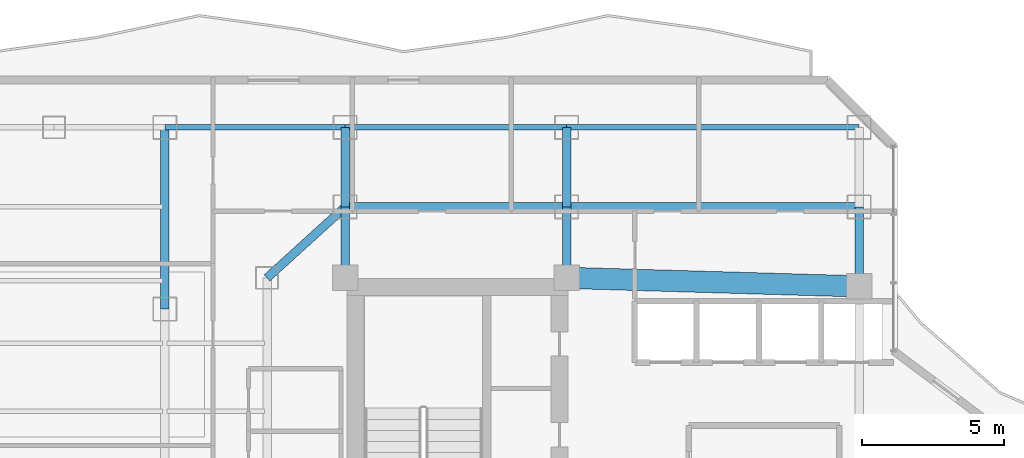
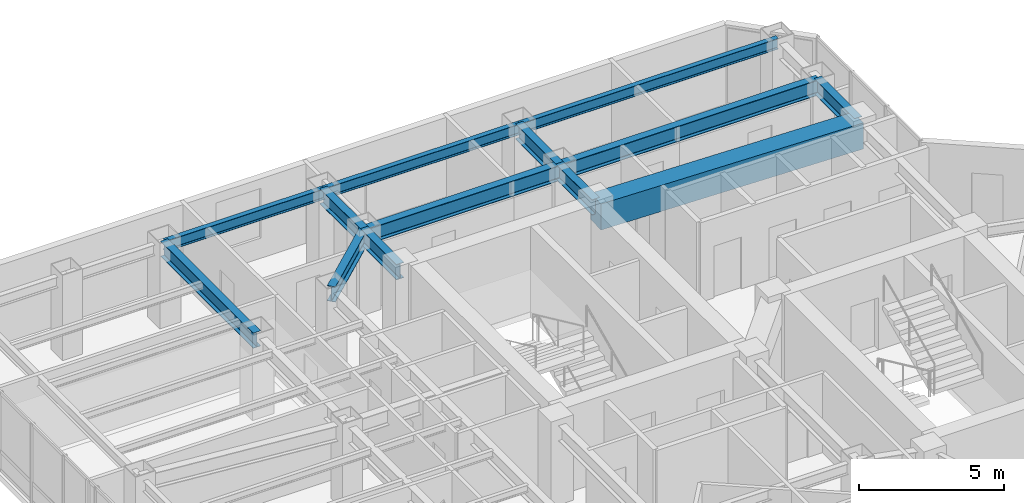
# One storey, part 18 of 27: 13 beams.
"""IFC4 building model written with IfcOpenShell, lengths in metres."""

import ifcopenshell
import ifcopenshell.guid

model = None  # the IFC model being written
_history = None  # IfcOwnerHistory: only IFC2X3 demands one
_inside = {}  # id of a spatial element -> (the spatial element, [elements in it])
_under = {}  # id of a project, library or spatial element -> (it, [spatial elements below it])
_declared = {}  # id of a project -> (the project, [libraries it declares])
_typed = {}  # id of a type object -> (the type object, [elements of that type])
_made_of = {}  # id of a material, layer set ... -> (it, [elements and type objects made of it])


def new_model(schema):
    """Start an empty IFC model of exactly this schema.

    Asked for "IFC4X3", IfcOpenShell would pick the latest addendum, in which some entities
    have other attributes; the version numbers below select the first issue.
    IFC2X3 requires an IfcOwnerHistory on every rooted entity: one is made here for all.
    """
    global model, _history
    if schema == "IFC4X3":
        model = ifcopenshell.file(schema_version=(4, 3, 0, 0))
    else:
        model = ifcopenshell.file(schema=schema)
    _inside.clear()
    _under.clear()
    _declared.clear()
    _typed.clear()
    _made_of.clear()
    _history = None
    if model.schema == "IFC2X3":
        org = make("IfcOrganization", Name="unknown")
        user = make(
            "IfcPersonAndOrganization",
            ThePerson=make("IfcPerson", FamilyName="unknown"),
            TheOrganization=org,
        )
        app = make(
            "IfcApplication",
            ApplicationDeveloper=org,
            Version="unknown",
            ApplicationFullName="unknown",
            ApplicationIdentifier="unknown",
        )
        _history = make(
            "IfcOwnerHistory",
            OwningUser=user,
            OwningApplication=app,
            ChangeAction="ADDED",
            CreationDate=0,
        )
    return model


def make(cls, **values):
    """One entity of the class cls with the attributes given. An attribute that is None is left unset."""
    return model.create_entity(
        cls, **{name: value for name, value in values.items() if value is not None}
    )


def rooted(cls, **values):
    """An entity with a GlobalId (a new one), such as an element, a storey or a relation."""
    return make(cls, GlobalId=ifcopenshell.guid.new(), OwnerHistory=_history, **values)


def si_unit(unit_type, name, prefix=None):
    """IfcSIUnit, for example si_unit("LENGTHUNIT", "METRE", prefix="MILLI")."""
    return make("IfcSIUnit", UnitType=unit_type, Prefix=prefix, Name=name)


def assignment(units):
    """IfcUnitAssignment: the units of a project."""
    return None if units is None else make("IfcUnitAssignment", Units=units)


def point(xyz):
    """IfcCartesianPoint."""
    return None if xyz is None else make("IfcCartesianPoint", Coordinates=xyz)


def direction(xyz):
    """IfcDirection."""
    return None if xyz is None else make("IfcDirection", DirectionRatios=xyz)


def frame(location, z_axis=None, x_axis=None):
    """IfcAxis2Placement3D, a coordinate frame: its origin and axes. An axis left out is left unset."""
    return make(
        "IfcAxis2Placement3D",
        Location=point(location),
        Axis=direction(z_axis),
        RefDirection=direction(x_axis),
    )


def frame_2d(location, x_axis=None):
    """IfcAxis2Placement2D, a coordinate frame in the plane: its origin and x axis."""
    return make(
        "IfcAxis2Placement2D", Location=point(location), RefDirection=direction(x_axis)
    )


def origin():
    """The frame at (0, 0, 0) with its axes left unset."""
    return frame((0.0, 0.0, 0.0))


def origin_2d():
    """The frame at (0, 0) in the plane with its x axis left unset."""
    return frame_2d((0.0, 0.0))


def place(relative_to, where):
    """IfcLocalPlacement: puts the frame where relative to a parent placement (None: the world)."""
    return make(
        "IfcLocalPlacement", PlacementRelTo=relative_to, RelativePlacement=where
    )


def context(
    kind, dimensions, precision=None, world=None, true_north=None, identifier=None
):
    """IfcGeometricRepresentationContext, for example the 3D "Model" context."""
    return make(
        "IfcGeometricRepresentationContext",
        ContextIdentifier=identifier,
        ContextType=kind,
        CoordinateSpaceDimension=dimensions,
        Precision=precision,
        WorldCoordinateSystem=world,
        TrueNorth=true_north,
    )


def subcontext(parent, identifier, kind, view, scale=None):
    """IfcGeometricRepresentationSubContext, for example "Body" below "Model"."""
    return make(
        "IfcGeometricRepresentationSubContext",
        ContextIdentifier=identifier,
        ContextType=kind,
        ParentContext=parent,
        TargetScale=scale,
        TargetView=view,
    )


def project(units=None, contexts=None):
    """IfcProject with its units and contexts."""
    return rooted(
        "IfcProject",
        Name="project",
        RepresentationContexts=contexts,
        UnitsInContext=assignment(units),
    )


def spatial(cls, under=None, at=None, **own):
    """A site, building, storey or space (cls), placed at a placement, below another one or the project."""
    s = rooted(cls, ObjectPlacement=at, **own)
    if under is not None:
        _under.setdefault(under.id(), (under, []))[1].append(s)
    return s


def profile(cls, at=None, kind="AREA", **sizes):
    """A parametric profile (cls). Its sizes go by their IFC names, for example OverallWidth=200.0."""
    return make(cls, ProfileType=kind, Position=at, **sizes)


def rectangle(**sizes):
    """IfcRectangleProfileDef."""
    return profile("IfcRectangleProfileDef", **sizes)


def i_section(**sizes):
    """IfcIShapeProfileDef."""
    return profile("IfcIShapeProfileDef", **sizes)


def extrude(swept, where, along, depth):
    """IfcExtrudedAreaSolid: the profile swept, set in the frame where, extruded along a direction by depth."""
    return make(
        "IfcExtrudedAreaSolid",
        SweptArea=swept,
        Position=where,
        ExtrudedDirection=direction(along),
        Depth=depth,
    )


def shape(context_of_items, identifier, shape_type, items):
    """IfcShapeRepresentation: the items that make up one representation, for example the "Body"."""
    return make(
        "IfcShapeRepresentation",
        ContextOfItems=context_of_items,
        RepresentationIdentifier=identifier,
        RepresentationType=shape_type,
        Items=items,
    )


def material(Name=None, Category=None):
    """IfcMaterial."""
    return make("IfcMaterial", Name=Name, Category=Category)


def material_profile(
    of_material, cross_section, Name=None, Category=None, Priority=None
):
    """IfcMaterialProfile: a cross section and its material."""
    return make(
        "IfcMaterialProfile",
        Name=Name,
        Material=of_material,
        Profile=cross_section,
        Priority=Priority,
        Category=Category,
    )


def profile_set(profiles, Name=None, composite=None):
    """IfcMaterialProfileSet."""
    return make(
        "IfcMaterialProfileSet",
        Name=Name,
        MaterialProfiles=profiles,
        CompositeProfile=composite,
    )


def made_of(thing, what):
    """Note that an element or type object is made of a material, layer set ...; save() writes the relation."""
    if what is not None:
        _made_of.setdefault(what.id(), (what, []))[1].append(thing)
    return thing


def type_object(cls, material=None, **own):
    """A type object (cls), such as IfcWallType, which elements share."""
    return made_of(rooted(cls, **own), material)


def element(
    cls,
    number,
    at=None,
    inside=None,
    cuts=None,
    type_object=None,
    material=None,
    context=None,
    identifier="Body",
    shape_type=None,
    held_by="IfcProductDefinitionShape",
    body=None,
    shapes=None,
    **own,
):
    """One element of the class cls, such as IfcWall. Its Tag is "e" and its number.

    at: its placement. inside: the storey or other place that contains it. cuts: it is an
    opening in that element (IfcRelVoidsElement). A single representation is given by context,
    identifier, shape_type and body (its items); several are given by shapes. held_by: the class
    of the entity that holds the representations. save() writes the other relations.
    """
    e = rooted(cls, Tag="e%d" % number, ObjectPlacement=at, **own)
    if body is not None:
        shapes = [shape(context, identifier, shape_type, body)]
    if shapes is not None:
        e.Representation = make(held_by, Representations=shapes)
    if inside is not None:
        _inside.setdefault(inside.id(), (inside, []))[1].append(e)
    if cuts is not None:
        rooted(
            "IfcRelVoidsElement", RelatingBuildingElement=cuts, RelatedOpeningElement=e
        )
    if type_object is not None:
        _typed.setdefault(type_object.id(), (type_object, []))[1].append(e)
    return made_of(e, material)


def aggregate(whole, parts):
    """IfcRelAggregates: a whole, such as a stair, and the parts it consists of."""
    return rooted("IfcRelAggregates", RelatingObject=whole, RelatedObjects=parts)


def save(model, path):
    """Write the relations noted so far, then the file.

    IfcRelAggregates (storeys below a building ...), IfcRelContainedInSpatialStructure (elements
    in a storey), IfcRelDefinesByType, IfcRelAssociatesMaterial and IfcRelDeclares: one each for
    every whole, place, type object, material and project.
    """
    for whole, parts in _under.values():
        aggregate(whole, parts)
    for where, things in _inside.values():
        rooted(
            "IfcRelContainedInSpatialStructure",
            RelatedElements=things,
            RelatingStructure=where,
        )
    for kind, things in _typed.values():
        rooted("IfcRelDefinesByType", RelatedObjects=things, RelatingType=kind)
    for what, things in _made_of.values():
        rooted("IfcRelAssociatesMaterial", RelatedObjects=things, RelatingMaterial=what)
    for by, libraries in _declared.values():
        rooted("IfcRelDeclares", RelatingContext=by, RelatedDefinitions=libraries)
    model.write(path)


model = new_model("IFC4")

# Units and contexts
model_context = context("Model", 3, precision=1e-05, world=origin(), true_north=direction((0.0, 1.0)))
body_context = subcontext(model_context, "Body", "Model", "MODEL_VIEW")
ifc_project = project(units=[si_unit("LENGTHUNIT", "METRE"), si_unit("AREAUNIT", "SQUARE_METRE"), si_unit("VOLUMEUNIT", "CUBIC_METRE"), si_unit("PLANEANGLEUNIT", "RADIAN"), si_unit("MASSUNIT", "GRAM", prefix="KILO")], contexts=[model_context])

# Site, building, storey
site_placement = place(None, origin())
site = spatial("IfcSite", under=ifc_project, at=site_placement, CompositionType="ELEMENT")
building_placement = place(site_placement, origin())
building = spatial("IfcBuilding", under=site, at=building_placement, Name="Hatsunagi Terrace Concourse", CompositionType="ELEMENT")
storey_placement = place(building_placement, frame((0.0, 0.0, 145.64990234375)))
storey = spatial("IfcBuildingStorey", under=building, at=storey_placement, Name="L38", CompositionType="ELEMENT", Elevation=145.64990234375)

# Beams
ifc_material_1 = material(Name="Concrete Fc48", Category="concrete")
ifc_material_profile_1 = material_profile(ifc_material_1, rectangle(XDim=0.75, YDim=1.10009765625, at=origin_2d()), Name="RC-750x1100")
ifc_profile_set_1 = profile_set([ifc_material_profile_1], Name="Concrete Fc48")
beam_type_1 = type_object("IfcBeamType", Name="CoreCouplingBeam_RC_750x1100", PredefinedType="BEAM", material=ifc_profile_set_1)
beam_1_placement = place(storey_placement, frame((33.35009765625, 43.300048828125, 2.800048828125), z_axis=(0.999575947545, -0.029119153303, 0.0), x_axis=(0.029119153303, 0.999575947545, 0.0)))
element("IfcBeam", 1, at=beam_1_placement, inside=storey, type_object=beam_type_1, Name="Beam CB-02 CB-L38-2", PredefinedType="BEAM", context=body_context, shape_type="SweptSolid", body=[
    extrude(rectangle(XDim=0.75, YDim=1.10009765625, at=origin_2d()), origin(), (0.0, 0.0, 1.0), 10.30419921875),
])
ifc_material_2 = material(Name="Steel SN490B", Category="steel")
ifc_material_profile_2 = material_profile(ifc_material_2, i_section(OverallWidth=0.300048828125, OverallDepth=0.64990234375, WebThickness=0.012939453125, FlangeThickness=0.02197265625, FilletRadius=0.01806640625, at=origin_2d()), Name="H-650x300x13x22")
ifc_profile_set_2 = profile_set([ifc_material_profile_2], Name="Steel SN490B")
beam_type_2 = type_object("IfcBeamType", Name="OfficeLowGirder_H_650x300", PredefinedType="BEAM", material=ifc_profile_set_2)
for number, where, z_axis, x_axis, name in (
    (2, (25.550048828125, 43.300048828125, 3.025146484375), (0.0, 1.0, 0.0), (-1.0, 0.0, 0.0), "Beam G-05 BM-L38-CN1"),
    (3, (33.35009765625, 43.300048828125, 3.025146484375), (0.0, 1.0, 0.0), (-1.0, 0.0, 0.0), "Beam G-05 BM-L38-CN2"),
):
    element("IfcBeam", number, at=place(storey_placement, frame(where, z_axis=z_axis, x_axis=x_axis)), inside=storey, type_object=beam_type_2, Name=name, PredefinedType="BEAM", context=body_context, shape_type="SweptSolid", body=[
        extrude(i_section(OverallWidth=0.300048828125, OverallDepth=0.64990234375, WebThickness=0.012939453125, FlangeThickness=0.02197265625, FilletRadius=0.01806640625, at=origin_2d()), origin(), (0.0, 0.0, 1.0), 2.5),
    ])
beam_2_placement = place(storey_placement, frame((43.64990234375, 43.0, 3.025146484375), z_axis=(0.0, 1.0, 0.0), x_axis=(-1.0, 0.0, 0.0)))
element("IfcBeam", 4, at=beam_2_placement, inside=storey, type_object=beam_type_2, Name="Beam G-05 BM-L38-CN3", PredefinedType="BEAM", context=body_context, shape_type="SweptSolid", body=[
    extrude(i_section(OverallWidth=0.300048828125, OverallDepth=0.64990234375, WebThickness=0.012939453125, FlangeThickness=0.02197265625, FilletRadius=0.01806640625, at=origin_2d()), origin(), (0.0, 0.0, 1.0), 2.800048828125),
])
beam_3_placement = place(storey_placement, frame((25.550048828125, 45.800048828125, 3.025146484375), z_axis=(1.0, 0.0, 0.0), x_axis=(0.0, 1.0, 0.0)))
element("IfcBeam", 5, at=beam_3_placement, inside=storey, type_object=beam_type_2, Name="Beam G-05 BM-L38-CNEW1", PredefinedType="BEAM", context=body_context, shape_type="SweptSolid", body=[
    extrude(i_section(OverallWidth=0.300048828125, OverallDepth=0.64990234375, WebThickness=0.012939453125, FlangeThickness=0.02197265625, FilletRadius=0.01806640625, at=origin_2d()), origin(), (0.0, 0.0, 1.0), 7.800048828125),
])
beam_4_placement = place(storey_placement, frame((33.35009765625, 45.800048828125, 3.025146484375), z_axis=(1.0, 0.0, 0.0), x_axis=(0.0, 1.0, 0.0)))
element("IfcBeam", 6, at=beam_4_placement, inside=storey, type_object=beam_type_2, Name="Beam G-05 BM-L38-CNEW2", PredefinedType="BEAM", context=body_context, shape_type="SweptSolid", body=[
    extrude(i_section(OverallWidth=0.300048828125, OverallDepth=0.64990234375, WebThickness=0.012939453125, FlangeThickness=0.02197265625, FilletRadius=0.01806640625, at=origin_2d()), origin(), (0.0, 0.0, 1.0), 10.2998046875),
])
for number, where, z_axis, x_axis, name in (
    (7, (25.550048828125, 45.800048828125, 3.025146484375), (0.0, 1.0, 0.0), (-1.0, 0.0, 0.0), "Beam G-05 BM-L38-KN-WN4"),
    (8, (33.35009765625, 45.800048828125, 3.025146484375), (0.0, 1.0, 0.0), (-1.0, 0.0, 0.0), "Beam G-05 BM-L38-KN-WN5"),
):
    element("IfcBeam", number, at=place(storey_placement, frame(where, z_axis=z_axis, x_axis=x_axis)), inside=storey, type_object=beam_type_2, Name=name, PredefinedType="BEAM", context=body_context, shape_type="SweptSolid", body=[
        extrude(i_section(OverallWidth=0.300048828125, OverallDepth=0.64990234375, WebThickness=0.012939453125, FlangeThickness=0.02197265625, FilletRadius=0.01806640625, at=origin_2d()), origin(), (0.0, 0.0, 1.0), 2.800048828125),
    ])
beam_5_placement = place(storey_placement, frame((22.800048828125, 43.300048828125, 3.025146484375), z_axis=(0.739940073396, 0.672672793996, 0.0), x_axis=(-0.672672793996, 0.739940073396, 0.0)))
element("IfcBeam", 9, at=beam_5_placement, inside=storey, type_object=beam_type_2, Name="Beam G-05 BM-L38-CWEW-N", PredefinedType="BEAM", context=body_context, shape_type="SweptSolid", body=[
    extrude(i_section(OverallWidth=0.300048828125, OverallDepth=0.64990234375, WebThickness=0.012939453125, FlangeThickness=0.02197265625, FilletRadius=0.01806640625, at=origin_2d()), origin(), (0.0, 0.0, 1.0), 3.716552734375),
])
beam_6_placement = place(storey_placement, frame((19.199951171875, 42.199951171875, 3.025146484375), z_axis=(0.0, 1.0, 0.0), x_axis=(-1.0, 0.0, 0.0)))
element("IfcBeam", 10, at=beam_6_placement, inside=storey, type_object=beam_type_2, Name="Beam G-05 BM-L38-NS-19-42", PredefinedType="BEAM", context=body_context, shape_type="SweptSolid", body=[
    extrude(i_section(OverallWidth=0.300048828125, OverallDepth=0.64990234375, WebThickness=0.012939453125, FlangeThickness=0.02197265625, FilletRadius=0.01806640625, at=origin_2d()), origin(), (0.0, 0.0, 1.0), 6.400146484375),
])
ifc_material_3 = material(Name="Steel SN490B", Category="steel")
ifc_material_profile_3 = material_profile(ifc_material_3, i_section(OverallWidth=0.199951171875, OverallDepth=0.449951171875, WebThickness=0.009033203125, FlangeThickness=0.013916015625, FilletRadius=0.01611328125, at=origin_2d()), Name="H-450x200x9x14")
ifc_profile_set_3 = profile_set([ifc_material_profile_3], Name="Steel SN490B")
beam_type_3 = type_object("IfcBeamType", Name="PerimeterSpandrel_H_450x200", PredefinedType="SPANDREL", material=ifc_profile_set_3)
beam_7_placement = place(storey_placement, frame((19.199951171875, 48.60009765625, 3.125), z_axis=(1.0, 0.0, 0.0), x_axis=(0.0, 1.0, 0.0)))
element("IfcBeam", 11, at=beam_7_placement, inside=storey, type_object=beam_type_3, Name="Beam SP-02 BM-L38-WN-19", PredefinedType="SPANDREL", context=body_context, shape_type="SweptSolid", body=[
    extrude(i_section(OverallWidth=0.199951171875, OverallDepth=0.449951171875, WebThickness=0.009033203125, FlangeThickness=0.013916015625, FilletRadius=0.01611328125, at=origin_2d()), origin(), (0.0, 0.0, 1.0), 6.35009765625),
])
beam_8_placement = place(storey_placement, frame((25.550048828125, 48.60009765625, 3.125), z_axis=(1.0, 0.0, 0.0), x_axis=(0.0, 1.0, 0.0)))
element("IfcBeam", 12, at=beam_8_placement, inside=storey, type_object=beam_type_3, Name="Beam SP-02 BM-L38-WN-25", PredefinedType="SPANDREL", context=body_context, shape_type="SweptSolid", body=[
    extrude(i_section(OverallWidth=0.199951171875, OverallDepth=0.449951171875, WebThickness=0.009033203125, FlangeThickness=0.013916015625, FilletRadius=0.01611328125, at=origin_2d()), origin(), (0.0, 0.0, 1.0), 7.800048828125),
])
beam_9_placement = place(storey_placement, frame((33.35009765625, 48.60009765625, 3.125), z_axis=(1.0, 0.0, 0.0), x_axis=(0.0, 1.0, 0.0)))
element("IfcBeam", 13, at=beam_9_placement, inside=storey, type_object=beam_type_3, Name="Beam SP-02 BM-L38-WN-33", PredefinedType="SPANDREL", context=body_context, shape_type="SweptSolid", body=[
    extrude(i_section(OverallWidth=0.199951171875, OverallDepth=0.449951171875, WebThickness=0.009033203125, FlangeThickness=0.013916015625, FilletRadius=0.01611328125, at=origin_2d()), origin(), (0.0, 0.0, 1.0), 10.2998046875),
])

save(model, "model.ifc")
